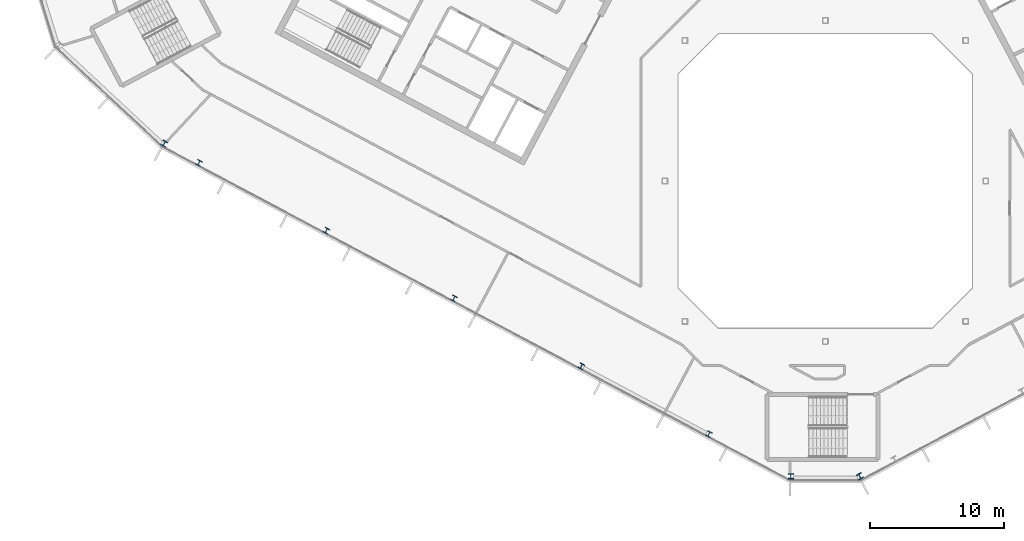
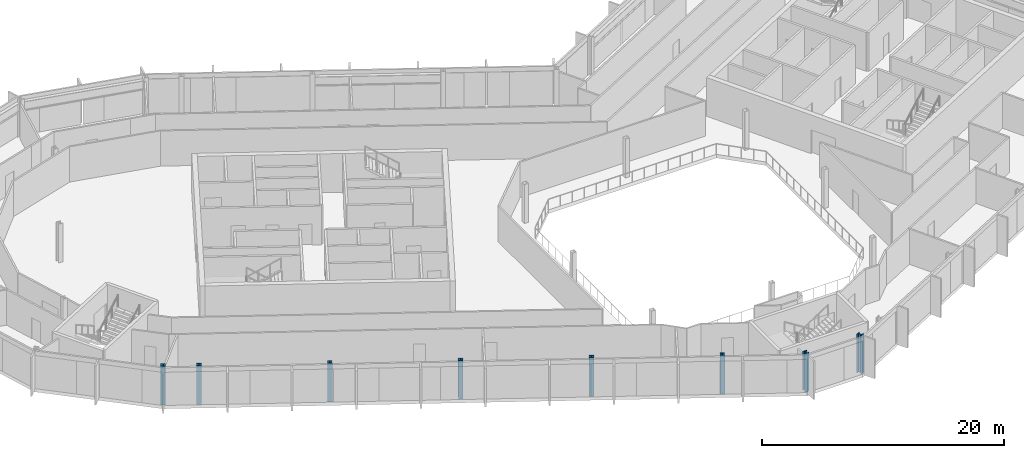
# One storey, part 1 of 26: 8 columns.
"""IFC4 building model written with IfcOpenShell, lengths in metres."""

import ifcopenshell
import ifcopenshell.guid

model = None  # the IFC model being written
_history = None  # IfcOwnerHistory: only IFC2X3 demands one
_inside = {}  # id of a spatial element -> (the spatial element, [elements in it])
_under = {}  # id of a project, library or spatial element -> (it, [spatial elements below it])
_declared = {}  # id of a project -> (the project, [libraries it declares])
_typed = {}  # id of a type object -> (the type object, [elements of that type])
_made_of = {}  # id of a material, layer set ... -> (it, [elements and type objects made of it])


def new_model(schema):
    """Start an empty IFC model of exactly this schema.

    Asked for "IFC4X3", IfcOpenShell would pick the latest addendum, in which some entities
    have other attributes; the version numbers below select the first issue.
    IFC2X3 requires an IfcOwnerHistory on every rooted entity: one is made here for all.
    """
    global model, _history
    if schema == "IFC4X3":
        model = ifcopenshell.file(schema_version=(4, 3, 0, 0))
    else:
        model = ifcopenshell.file(schema=schema)
    _inside.clear()
    _under.clear()
    _declared.clear()
    _typed.clear()
    _made_of.clear()
    _history = None
    if model.schema == "IFC2X3":
        org = make("IfcOrganization", Name="unknown")
        user = make(
            "IfcPersonAndOrganization",
            ThePerson=make("IfcPerson", FamilyName="unknown"),
            TheOrganization=org,
        )
        app = make(
            "IfcApplication",
            ApplicationDeveloper=org,
            Version="unknown",
            ApplicationFullName="unknown",
            ApplicationIdentifier="unknown",
        )
        _history = make(
            "IfcOwnerHistory",
            OwningUser=user,
            OwningApplication=app,
            ChangeAction="ADDED",
            CreationDate=0,
        )
    return model


def make(cls, **values):
    """One entity of the class cls with the attributes given. An attribute that is None is left unset."""
    return model.create_entity(
        cls, **{name: value for name, value in values.items() if value is not None}
    )


def rooted(cls, **values):
    """An entity with a GlobalId (a new one), such as an element, a storey or a relation."""
    return make(cls, GlobalId=ifcopenshell.guid.new(), OwnerHistory=_history, **values)


def si_unit(unit_type, name, prefix=None):
    """IfcSIUnit, for example si_unit("LENGTHUNIT", "METRE", prefix="MILLI")."""
    return make("IfcSIUnit", UnitType=unit_type, Prefix=prefix, Name=name)


def assignment(units):
    """IfcUnitAssignment: the units of a project."""
    return None if units is None else make("IfcUnitAssignment", Units=units)


def point(xyz):
    """IfcCartesianPoint."""
    return None if xyz is None else make("IfcCartesianPoint", Coordinates=xyz)


def direction(xyz):
    """IfcDirection."""
    return None if xyz is None else make("IfcDirection", DirectionRatios=xyz)


def frame(location, z_axis=None, x_axis=None):
    """IfcAxis2Placement3D, a coordinate frame: its origin and axes. An axis left out is left unset."""
    return make(
        "IfcAxis2Placement3D",
        Location=point(location),
        Axis=direction(z_axis),
        RefDirection=direction(x_axis),
    )


def frame_2d(location, x_axis=None):
    """IfcAxis2Placement2D, a coordinate frame in the plane: its origin and x axis."""
    return make(
        "IfcAxis2Placement2D", Location=point(location), RefDirection=direction(x_axis)
    )


def origin():
    """The frame at (0, 0, 0) with its axes left unset."""
    return frame((0.0, 0.0, 0.0))


def origin_2d():
    """The frame at (0, 0) in the plane with its x axis left unset."""
    return frame_2d((0.0, 0.0))


def place(relative_to, where):
    """IfcLocalPlacement: puts the frame where relative to a parent placement (None: the world)."""
    return make(
        "IfcLocalPlacement", PlacementRelTo=relative_to, RelativePlacement=where
    )


def context(
    kind, dimensions, precision=None, world=None, true_north=None, identifier=None
):
    """IfcGeometricRepresentationContext, for example the 3D "Model" context."""
    return make(
        "IfcGeometricRepresentationContext",
        ContextIdentifier=identifier,
        ContextType=kind,
        CoordinateSpaceDimension=dimensions,
        Precision=precision,
        WorldCoordinateSystem=world,
        TrueNorth=true_north,
    )


def subcontext(parent, identifier, kind, view, scale=None):
    """IfcGeometricRepresentationSubContext, for example "Body" below "Model"."""
    return make(
        "IfcGeometricRepresentationSubContext",
        ContextIdentifier=identifier,
        ContextType=kind,
        ParentContext=parent,
        TargetScale=scale,
        TargetView=view,
    )


def project(units=None, contexts=None):
    """IfcProject with its units and contexts."""
    return rooted(
        "IfcProject",
        Name="project",
        RepresentationContexts=contexts,
        UnitsInContext=assignment(units),
    )


def spatial(cls, under=None, at=None, **own):
    """A site, building, storey or space (cls), placed at a placement, below another one or the project."""
    s = rooted(cls, ObjectPlacement=at, **own)
    if under is not None:
        _under.setdefault(under.id(), (under, []))[1].append(s)
    return s


def profile(cls, at=None, kind="AREA", **sizes):
    """A parametric profile (cls). Its sizes go by their IFC names, for example OverallWidth=200.0."""
    return make(cls, ProfileType=kind, Position=at, **sizes)


def i_section(**sizes):
    """IfcIShapeProfileDef."""
    return profile("IfcIShapeProfileDef", **sizes)


def extrude(swept, where, along, depth):
    """IfcExtrudedAreaSolid: the profile swept, set in the frame where, extruded along a direction by depth."""
    return make(
        "IfcExtrudedAreaSolid",
        SweptArea=swept,
        Position=where,
        ExtrudedDirection=direction(along),
        Depth=depth,
    )


def shape(context_of_items, identifier, shape_type, items):
    """IfcShapeRepresentation: the items that make up one representation, for example the "Body"."""
    return make(
        "IfcShapeRepresentation",
        ContextOfItems=context_of_items,
        RepresentationIdentifier=identifier,
        RepresentationType=shape_type,
        Items=items,
    )


def material(Name=None, Category=None):
    """IfcMaterial."""
    return make("IfcMaterial", Name=Name, Category=Category)


def material_profile(
    of_material, cross_section, Name=None, Category=None, Priority=None
):
    """IfcMaterialProfile: a cross section and its material."""
    return make(
        "IfcMaterialProfile",
        Name=Name,
        Material=of_material,
        Profile=cross_section,
        Priority=Priority,
        Category=Category,
    )


def profile_set(profiles, Name=None, composite=None):
    """IfcMaterialProfileSet."""
    return make(
        "IfcMaterialProfileSet",
        Name=Name,
        MaterialProfiles=profiles,
        CompositeProfile=composite,
    )


def made_of(thing, what):
    """Note that an element or type object is made of a material, layer set ...; save() writes the relation."""
    if what is not None:
        _made_of.setdefault(what.id(), (what, []))[1].append(thing)
    return thing


def type_object(cls, material=None, **own):
    """A type object (cls), such as IfcWallType, which elements share."""
    return made_of(rooted(cls, **own), material)


def element(
    cls,
    number,
    at=None,
    inside=None,
    cuts=None,
    type_object=None,
    material=None,
    context=None,
    identifier="Body",
    shape_type=None,
    held_by="IfcProductDefinitionShape",
    body=None,
    shapes=None,
    **own,
):
    """One element of the class cls, such as IfcWall. Its Tag is "e" and its number.

    at: its placement. inside: the storey or other place that contains it. cuts: it is an
    opening in that element (IfcRelVoidsElement). A single representation is given by context,
    identifier, shape_type and body (its items); several are given by shapes. held_by: the class
    of the entity that holds the representations. save() writes the other relations.
    """
    e = rooted(cls, Tag="e%d" % number, ObjectPlacement=at, **own)
    if body is not None:
        shapes = [shape(context, identifier, shape_type, body)]
    if shapes is not None:
        e.Representation = make(held_by, Representations=shapes)
    if inside is not None:
        _inside.setdefault(inside.id(), (inside, []))[1].append(e)
    if cuts is not None:
        rooted(
            "IfcRelVoidsElement", RelatingBuildingElement=cuts, RelatedOpeningElement=e
        )
    if type_object is not None:
        _typed.setdefault(type_object.id(), (type_object, []))[1].append(e)
    return made_of(e, material)


def aggregate(whole, parts):
    """IfcRelAggregates: a whole, such as a stair, and the parts it consists of."""
    return rooted("IfcRelAggregates", RelatingObject=whole, RelatedObjects=parts)


def save(model, path):
    """Write the relations noted so far, then the file.

    IfcRelAggregates (storeys below a building ...), IfcRelContainedInSpatialStructure (elements
    in a storey), IfcRelDefinesByType, IfcRelAssociatesMaterial and IfcRelDeclares: one each for
    every whole, place, type object, material and project.
    """
    for whole, parts in _under.values():
        aggregate(whole, parts)
    for where, things in _inside.values():
        rooted(
            "IfcRelContainedInSpatialStructure",
            RelatedElements=things,
            RelatingStructure=where,
        )
    for kind, things in _typed.values():
        rooted("IfcRelDefinesByType", RelatedObjects=things, RelatingType=kind)
    for what, things in _made_of.values():
        rooted("IfcRelAssociatesMaterial", RelatedObjects=things, RelatingMaterial=what)
    for by, libraries in _declared.values():
        rooted("IfcRelDeclares", RelatingContext=by, RelatedDefinitions=libraries)
    model.write(path)


model = new_model("IFC4")

# Units and contexts
model_context = context("Model", 3, precision=1e-05, world=origin(), true_north=direction((0.0, 1.0)))
body_context = subcontext(model_context, "Body", "Model", "MODEL_VIEW")
ifc_project = project(units=[si_unit("LENGTHUNIT", "METRE"), si_unit("AREAUNIT", "SQUARE_METRE"), si_unit("VOLUMEUNIT", "CUBIC_METRE"), si_unit("PLANEANGLEUNIT", "RADIAN"), si_unit("MASSUNIT", "GRAM", prefix="KILO")], contexts=[model_context])

# Site, building, storey
site_placement = place(None, origin())
site = spatial("IfcSite", under=ifc_project, at=site_placement, CompositionType="ELEMENT")
building_placement = place(site_placement, origin())
building = spatial("IfcBuilding", under=site, at=building_placement, Name="Cormorant Relay Tower", CompositionType="ELEMENT")
storey_placement = place(building_placement, frame((0.0, 0.0, 308.699951171875)))
storey = spatial("IfcBuildingStorey", under=building, at=storey_placement, Name="L70", CompositionType="ELEMENT", Elevation=308.699951171875)

# Columns
ifc_material_1 = material(Name="Steel ASTM A992 (Fy 345 MPa)", Category="steel")
ifc_material_profile_1 = material_profile(ifc_material_1, i_section(OverallWidth=0.398681640625, OverallDepth=0.385986328125, WebThickness=0.02099609375, FlangeThickness=0.033203125, FilletRadius=0.01513671875, at=origin_2d()), Name="W360x262")
ifc_profile_set_1 = profile_set([ifc_material_profile_1], Name="Steel ASTM A992 (Fy 345 MPa)")
column_type_1 = type_object("IfcColumnType", Name="Column W360x262", PredefinedType="COLUMN", material=ifc_profile_set_1)
for number, where, z_axis, x_axis, name in (
    (1, (-8.705078125, -18.928955078125, 0.0), (0.0, 0.0, 1.0), (0.882947592859, -0.469471562786, 0.0), "Column L70-004"),
    (2, (-18.240966796875, -13.85791015625, 0.0), (0.0, 0.0, 1.0), (0.882947592859, -0.469471562786, 0.0), "Column L70-006"),
    (3, (-27.777099609375, -8.7880859375, 0.0), (0.0, 0.0, 1.0), (0.882947592859, -0.469471562786, 0.0), "Column L70-011"),
    (4, (-37.31298828125, -3.718017578125, 0.0), (0.0, 0.0, 1.0), (0.882947592859, -0.469471562786, 0.0), "Column L70-013"),
    (5, (-46.84912109375, 1.35205078125, 0.0), (0.0, 0.0, 1.0), (0.882947592859, -0.469471562786, 0.0), "Column L70-017"),
):
    element("IfcColumn", number, at=place(storey_placement, frame(where, z_axis=z_axis, x_axis=x_axis)), inside=storey, type_object=column_type_1, Name=name, PredefinedType="COLUMN", context=body_context, shape_type="SweptSolid", body=[
        extrude(i_section(OverallWidth=0.398681640625, OverallDepth=0.385986328125, WebThickness=0.02099609375, FlangeThickness=0.033203125, FilletRadius=0.01513671875, at=origin_2d()), origin(), (0.0, 0.0, 1.0), 3.900146484375),
    ])
ifc_material_2 = material(Name="Steel ASTM A992 (Fy 345 MPa)", Category="steel")
ifc_material_profile_2 = material_profile(ifc_material_2, i_section(OverallWidth=0.40380859375, OverallDepth=0.406494140625, WebThickness=0.027099609375, FlangeThickness=0.043701171875, FilletRadius=0.01513671875, at=origin_2d()), Name="W360x347")
ifc_profile_set_2 = profile_set([ifc_material_profile_2], Name="Steel ASTM A992 (Fy 345 MPa)")
column_type_2 = type_object("IfcColumnType", Name="Column W360x347", PredefinedType="COLUMN", material=ifc_profile_set_2)
for number, where, z_axis, x_axis, name in (
    (6, (-2.5791015625, -22.093994140625, 0.0), (0.0, 0.0, 1.0), (1.0, 0.0, 0.0), "Column L70-001"),
    (7, (2.5791015625, -22.093994140625, 0.0), (0.0, 0.0, 1.0), (0.882947592859, 0.469471562786, 0.0), "Column L70-002"),
    (8, (-49.44091796875, 2.7958984375, 0.0), (0.0, 0.0, 1.0), (0.882947592859, -0.469471562786, 0.0), "Column L70-018"),
):
    element("IfcColumn", number, at=place(storey_placement, frame(where, z_axis=z_axis, x_axis=x_axis)), inside=storey, type_object=column_type_2, Name=name, PredefinedType="COLUMN", context=body_context, shape_type="SweptSolid", body=[
        extrude(i_section(OverallWidth=0.40380859375, OverallDepth=0.406494140625, WebThickness=0.027099609375, FlangeThickness=0.043701171875, FilletRadius=0.01513671875, at=origin_2d()), origin(), (0.0, 0.0, 1.0), 3.900146484375),
    ])

save(model, "model.ifc")
